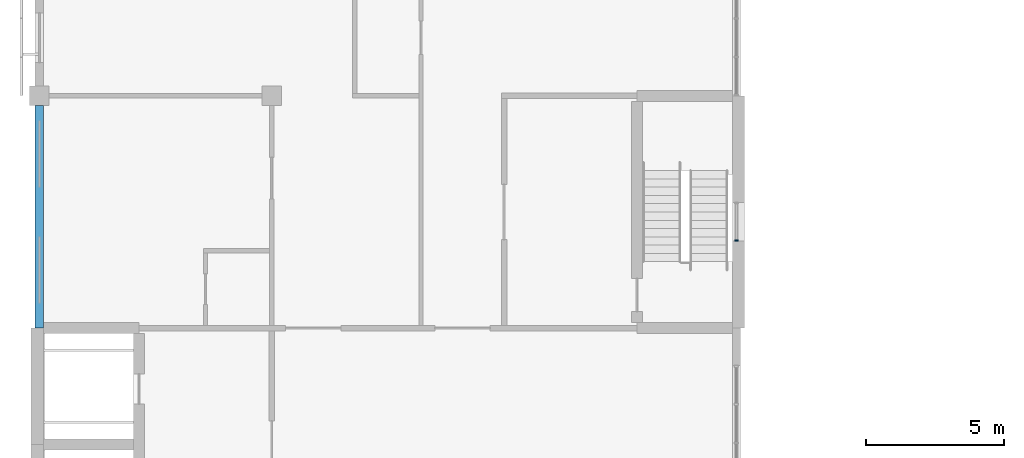
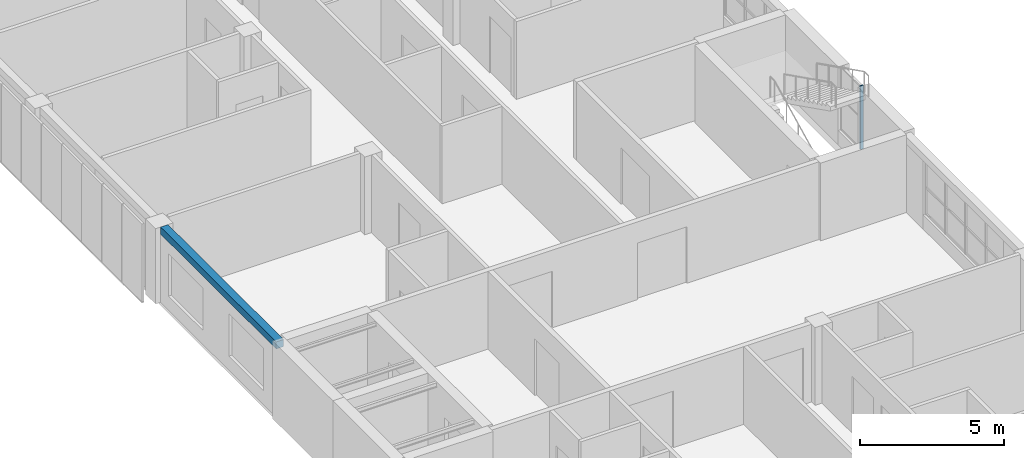
# One storey, part 12 of 48: 1 beam, 1 member, 1 element without a shape of its own.
"""IFC4 building model written with IfcOpenShell, lengths in metres."""

from ifc_helpers import new_model, si_unit, direction, frame, origin, origin_2d, place, context, subcontext, project, spatial, rectangle, extrude, material, material_profile, profile_set, type_object, element, aggregate, save


model = new_model("IFC4")

# Units and contexts
model_context = context("Model", 3, precision=1e-05, world=origin(), true_north=direction((0.0, 1.0)))
body_context = subcontext(model_context, "Body", "Model", "MODEL_VIEW")
ifc_project = project(units=[si_unit("LENGTHUNIT", "METRE"), si_unit("AREAUNIT", "SQUARE_METRE"), si_unit("VOLUMEUNIT", "CUBIC_METRE"), si_unit("PLANEANGLEUNIT", "RADIAN"), si_unit("MASSUNIT", "GRAM", prefix="KILO")], contexts=[model_context])

# Site, building, storey
site_placement = place(None, origin())
site = spatial("IfcSite", under=ifc_project, at=site_placement, CompositionType="ELEMENT")
building_placement = place(site_placement, origin())
building = spatial("IfcBuilding", under=site, at=building_placement, Name="Yavir Park General Hospital", CompositionType="ELEMENT")
storey_placement = place(building_placement, frame((0.0, 0.0, 26.10009765625)))
storey = spatial("IfcBuildingStorey", under=building, at=storey_placement, Name="L06", CompositionType="ELEMENT", Elevation=26.10009765625)

# Beam
ifc_material_1 = material(Name="Concrete C35/45", Category="concrete")
ifc_material_profile_1 = material_profile(ifc_material_1, rectangle(XDim=0.300048828125, YDim=0.300048828125, at=origin_2d()), Name="RC300x300")
ifc_profile_set_1 = profile_set([ifc_material_profile_1], Name="Concrete C35/45")
beam_type = type_object("IfcBeamType", Name="RC BEAM 300x300 edge beam", PredefinedType="BEAM", material=ifc_profile_set_1)
beam_placement = place(storey_placement, frame((0.0, 75.60009765625, 3.0498046875), z_axis=(0.0, 1.0, 0.0), x_axis=(-1.0, 0.0, 0.0)))
element("IfcBeam", 1, at=beam_placement, inside=storey, type_object=beam_type, Name="B:EDGE:L06:023", PredefinedType="BEAM", context=body_context, shape_type="SweptSolid", body=[
    extrude(rectangle(XDim=0.300048828125, YDim=0.300048828125, at=origin_2d()), origin(), (0.0, 0.0, 1.0), 8.0498046875),
])

# Curtain wall, member
ifc_material_2 = material(Name="Aluminium curtain wall frame with insulated glazing", Category="aluminium")
curtain_wall_type = type_object("IfcCurtainWallType", Name="Stair light slot, ward floors, 2700 high, 1400 module", PredefinedType="NOTDEFINED", material=ifc_material_2)
curtain_wall_placement = place(storey_placement, origin())
curtain_wall = element("IfcCurtainWall", 2, at=curtain_wall_placement, inside=storey, type_object=curtain_wall_type, Name="CW64 L06-024", PredefinedType="NOTDEFINED")
ifc_material_3 = material(Name="Aluminium", Category="aluminium")
ifc_material_profile_2 = material_profile(ifc_material_3, rectangle(XDim=0.1201171875, YDim=0.050048828125, at=origin_2d()), Name="AL 50x120")
ifc_profile_set_2 = profile_set([ifc_material_profile_2], Name="Aluminium")
member_type = type_object("IfcMemberType", Name="Stair light slot, ward floors, 2700 high mullion 50 x 120", PredefinedType="MULLION", material=ifc_profile_set_2)
member_placement = place(storey_placement, frame((25.199951171875, 78.77490234375, 0.599853515625), z_axis=(0.0, 0.0, 1.0), x_axis=(-1.0, 0.0, 0.0)))
member = element("IfcMember", 3, at=member_placement, type_object=member_type, Name="CW64 mullion 1", PredefinedType="MULLION", context=body_context, shape_type="SweptSolid", body=[
    extrude(rectangle(XDim=0.1201171875, YDim=0.050048828125, at=origin_2d()), origin(), (0.0, 0.0, 1.0), 2.699951171875),
])
aggregate(curtain_wall, [member])

save(model, "model.ifc")
